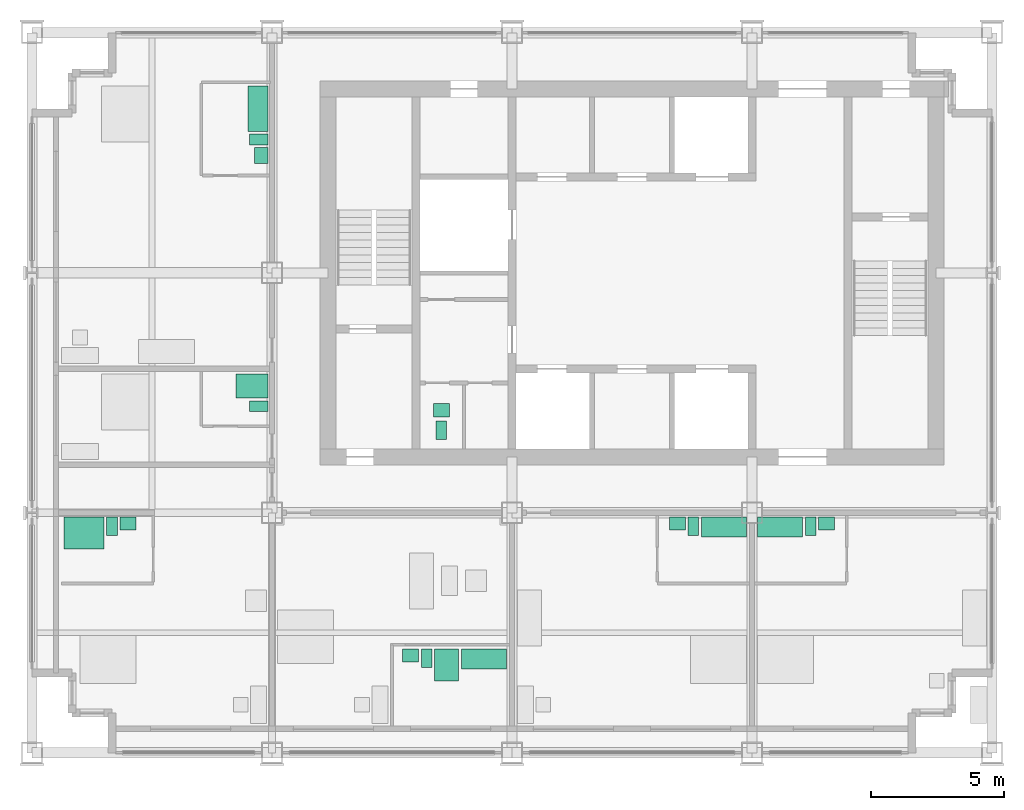
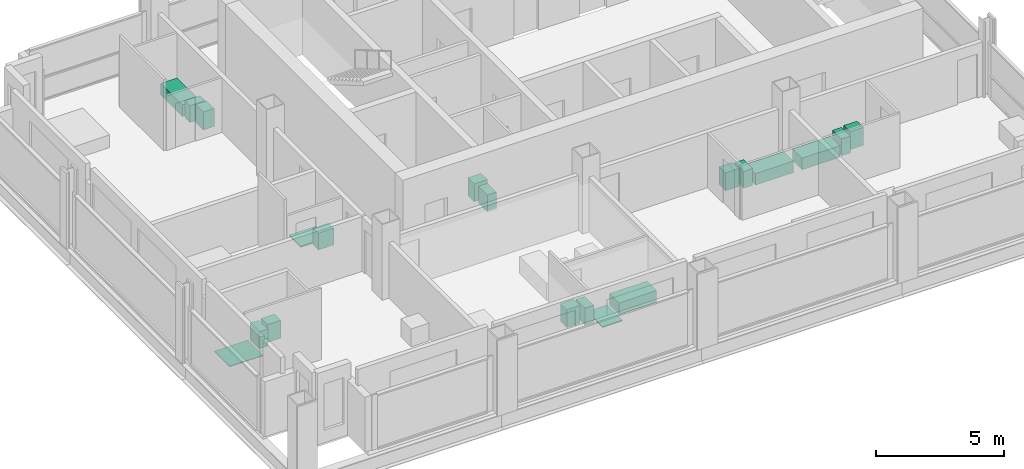
# One storey, part 10 of 11: 20 sanitary terminals.
"""IFC4 building model written with IfcOpenShell, lengths in metres."""

from ifc_helpers import new_model, si_unit, direction, frame, origin, origin_2d, place, context, subcontext, project, spatial, rectangle, extrude, element, save


model = new_model("IFC4")

# Units and contexts
model_context = context("Model", 3, precision=1e-05, world=origin(), true_north=direction((0.0, 1.0)))
body_context = subcontext(model_context, "Body", "Model", "MODEL_VIEW")
ifc_project = project(units=[si_unit("LENGTHUNIT", "METRE"), si_unit("AREAUNIT", "SQUARE_METRE"), si_unit("VOLUMEUNIT", "CUBIC_METRE"), si_unit("PLANEANGLEUNIT", "RADIAN"), si_unit("MASSUNIT", "GRAM", prefix="KILO")], contexts=[model_context])

# Site, building, storey
site_placement = place(None, origin())
site = spatial("IfcSite", under=ifc_project, at=site_placement, CompositionType="ELEMENT")
building_placement = place(site_placement, origin())
building = spatial("IfcBuilding", under=site, at=building_placement, Name="Loomwork Tower", CompositionType="ELEMENT")
storey_placement = place(building_placement, frame((0.0, 0.0, 244.60009765625)))
storey = spatial("IfcBuildingStorey", under=building, at=storey_placement, Name="L67", CompositionType="ELEMENT", Elevation=244.60009765625)

# Sanitary terminals
sanitary_terminal_1_placement = place(storey_placement, frame((1.949951171875, 8.25, 0.0), z_axis=(0.0, 0.0, 1.0), x_axis=(1.0, 0.0, 0.0)))
element("IfcSanitaryTerminal", 1, at=sanitary_terminal_1_placement, inside=storey, Name="Roll-in shower floor L67", PredefinedType="SHOWER", context=body_context, shape_type="SweptSolid", body=[
    extrude(rectangle(XDim=1.5, YDim=1.199951171875, at=origin_2d()), origin(), (0.0, 0.0, 1.0), 0.030029296875),
])
sanitary_terminal_2_placement = place(storey_placement, frame((3.0, 8.5, 0.0), z_axis=(0.0, 0.0, 1.0), x_axis=(1.0, 0.0, 0.0)))
element("IfcSanitaryTerminal", 2, at=sanitary_terminal_2_placement, inside=storey, Name="WC L67", PredefinedType="TOILETPAN", context=body_context, shape_type="SweptSolid", body=[
    extrude(rectangle(XDim=0.39990234375, YDim=0.699951171875, at=origin_2d()), origin(), (0.0, 0.0, 1.0), 0.800048828125),
])
sanitary_terminal_3_placement = place(storey_placement, frame((3.60009765625, 8.60009765625, -0.000244140625), z_axis=(0.0, 0.0, 1.0), x_axis=(1.0, 0.0, 0.0)))
element("IfcSanitaryTerminal", 3, at=sanitary_terminal_3_placement, inside=storey, Name="Basin vanity L67", PredefinedType="WASHHANDBASIN", context=body_context, shape_type="SweptSolid", body=[
    extrude(rectangle(XDim=0.60009765625, YDim=0.5, at=origin_2d()), origin(), (0.0, 0.0, 1.0), 0.85009765625),
])
sanitary_terminal_4_placement = place(storey_placement, frame((16.949951171875, 3.52490234375, 0.0), z_axis=(0.0, 0.0, 1.0), x_axis=(1.0, 0.0, 0.0)))
element("IfcSanitaryTerminal", 4, at=sanitary_terminal_4_placement, inside=storey, Name="Bath L67", PredefinedType="BATH", context=body_context, shape_type="SweptSolid", body=[
    extrude(rectangle(XDim=1.699951171875, YDim=0.75, at=origin_2d()), origin(), (0.0, 0.0, 1.0), 0.550048828125),
])
sanitary_terminal_5_placement = place(storey_placement, frame((15.550048828125, 3.300048828125, 0.0), z_axis=(0.0, 0.0, 1.0), x_axis=(1.0, 0.0, 0.0)))
element("IfcSanitaryTerminal", 5, at=sanitary_terminal_5_placement, inside=storey, Name="Shower tray L67", PredefinedType="SHOWER", context=body_context, shape_type="SweptSolid", body=[
    extrude(rectangle(XDim=0.89990234375, YDim=1.199951171875, at=origin_2d()), origin(), (0.0, 0.0, 1.0), 0.050048828125),
])
sanitary_terminal_6_placement = place(storey_placement, frame((14.800048828125, 3.550048828125, 0.0), z_axis=(0.0, 0.0, 1.0), x_axis=(1.0, 0.0, 0.0)))
element("IfcSanitaryTerminal", 6, at=sanitary_terminal_6_placement, inside=storey, Name="WC L67", PredefinedType="TOILETPAN", context=body_context, shape_type="SweptSolid", body=[
    extrude(rectangle(XDim=0.39990234375, YDim=0.699951171875, at=origin_2d()), origin(), (0.0, 0.0, 1.0), 0.800048828125),
])
sanitary_terminal_7_placement = place(storey_placement, frame((14.199951171875, 3.64990234375, -0.000244140625), z_axis=(0.0, 0.0, 1.0), x_axis=(1.0, 0.0, 0.0)))
element("IfcSanitaryTerminal", 7, at=sanitary_terminal_7_placement, inside=storey, Name="Basin vanity L67", PredefinedType="WASHHANDBASIN", context=body_context, shape_type="SweptSolid", body=[
    extrude(rectangle(XDim=0.60009765625, YDim=0.5, at=origin_2d()), origin(), (0.0, 0.0, 1.0), 0.85009765625),
])
sanitary_terminal_8_placement = place(storey_placement, frame((25.949951171875, 8.47509765625, 0.0), z_axis=(0.0, 0.0, 1.0), x_axis=(1.0, 0.0, 0.0)))
element("IfcSanitaryTerminal", 8, at=sanitary_terminal_8_placement, inside=storey, Name="Bath L67", PredefinedType="BATH", context=body_context, shape_type="SweptSolid", body=[
    extrude(rectangle(XDim=1.699951171875, YDim=0.75, at=origin_2d()), origin(), (0.0, 0.0, 1.0), 0.550048828125),
])
sanitary_terminal_9_placement = place(storey_placement, frame((24.800048828125, 8.5, 0.0), z_axis=(0.0, 0.0, 1.0), x_axis=(1.0, 0.0, 0.0)))
element("IfcSanitaryTerminal", 9, at=sanitary_terminal_9_placement, inside=storey, Name="WC L67", PredefinedType="TOILETPAN", context=body_context, shape_type="SweptSolid", body=[
    extrude(rectangle(XDim=0.39990234375, YDim=0.699951171875, at=origin_2d()), origin(), (0.0, 0.0, 1.0), 0.800048828125),
])
sanitary_terminal_10_placement = place(storey_placement, frame((24.199951171875, 8.60009765625, -0.000244140625), z_axis=(0.0, 0.0, 1.0), x_axis=(1.0, 0.0, 0.0)))
element("IfcSanitaryTerminal", 10, at=sanitary_terminal_10_placement, inside=storey, Name="Basin vanity L67", PredefinedType="WASHHANDBASIN", context=body_context, shape_type="SweptSolid", body=[
    extrude(rectangle(XDim=0.60009765625, YDim=0.5, at=origin_2d()), origin(), (0.0, 0.0, 1.0), 0.85009765625),
])
sanitary_terminal_11_placement = place(storey_placement, frame((28.050048828125, 8.47509765625, 0.0), z_axis=(0.0, 0.0, 1.0), x_axis=(1.0, 0.0, 0.0)))
element("IfcSanitaryTerminal", 11, at=sanitary_terminal_11_placement, inside=storey, Name="Bath L67", PredefinedType="BATH", context=body_context, shape_type="SweptSolid", body=[
    extrude(rectangle(XDim=1.699951171875, YDim=0.75, at=origin_2d()), origin(), (0.0, 0.0, 1.0), 0.550048828125),
])
sanitary_terminal_12_placement = place(storey_placement, frame((29.199951171875, 8.5, 0.0), z_axis=(0.0, 0.0, 1.0), x_axis=(1.0, 0.0, 0.0)))
element("IfcSanitaryTerminal", 12, at=sanitary_terminal_12_placement, inside=storey, Name="WC L67", PredefinedType="TOILETPAN", context=body_context, shape_type="SweptSolid", body=[
    extrude(rectangle(XDim=0.39990234375, YDim=0.699951171875, at=origin_2d()), origin(), (0.0, 0.0, 1.0), 0.800048828125),
])
sanitary_terminal_13_placement = place(storey_placement, frame((29.800048828125, 8.60009765625, -0.000244140625), z_axis=(0.0, 0.0, 1.0), x_axis=(1.0, 0.0, 0.0)))
element("IfcSanitaryTerminal", 13, at=sanitary_terminal_13_placement, inside=storey, Name="Basin vanity L67", PredefinedType="WASHHANDBASIN", context=body_context, shape_type="SweptSolid", body=[
    extrude(rectangle(XDim=0.60009765625, YDim=0.5, at=origin_2d()), origin(), (0.0, 0.0, 1.0), 0.85009765625),
])
sanitary_terminal_14_placement = place(storey_placement, frame((8.25, 13.75, 0.0), z_axis=(0.0, 0.0, 1.0), x_axis=(1.0, 0.0, 0.0)))
element("IfcSanitaryTerminal", 14, at=sanitary_terminal_14_placement, inside=storey, Name="Shower tray L67", PredefinedType="SHOWER", context=body_context, shape_type="SweptSolid", body=[
    extrude(rectangle(XDim=1.199951171875, YDim=0.89990234375, at=origin_2d()), origin(), (0.0, 0.0, 1.0), 0.050048828125),
])
sanitary_terminal_15_placement = place(storey_placement, frame((8.5, 13.0, 0.0), z_axis=(0.0, 0.0, 1.0), x_axis=(1.0, 0.0, 0.0)))
element("IfcSanitaryTerminal", 15, at=sanitary_terminal_15_placement, inside=storey, Name="WC L67", PredefinedType="TOILETPAN", context=body_context, shape_type="SweptSolid", body=[
    extrude(rectangle(XDim=0.699951171875, YDim=0.39990234375, at=origin_2d()), origin(), (0.0, 0.0, 1.0), 0.800048828125),
])
sanitary_terminal_16_placement = place(storey_placement, frame((8.47509765625, 24.14990234375, 0.0), z_axis=(0.0, 0.0, 1.0), x_axis=(1.0, 0.0, 0.0)))
element("IfcSanitaryTerminal", 16, at=sanitary_terminal_16_placement, inside=storey, Name="Bath L67", PredefinedType="BATH", context=body_context, shape_type="SweptSolid", body=[
    extrude(rectangle(XDim=0.75, YDim=1.699951171875, at=origin_2d()), origin(), (0.0, 0.0, 1.0), 0.550048828125),
])
sanitary_terminal_17_placement = place(storey_placement, frame((8.5, 23.0, 0.0), z_axis=(0.0, 0.0, 1.0), x_axis=(1.0, 0.0, 0.0)))
element("IfcSanitaryTerminal", 17, at=sanitary_terminal_17_placement, inside=storey, Name="WC L67", PredefinedType="TOILETPAN", context=body_context, shape_type="SweptSolid", body=[
    extrude(rectangle(XDim=0.699951171875, YDim=0.39990234375, at=origin_2d()), origin(), (0.0, 0.0, 1.0), 0.800048828125),
])
sanitary_terminal_18_placement = place(storey_placement, frame((8.60009765625, 22.39990234375, -0.000244140625), z_axis=(0.0, 0.0, 1.0), x_axis=(1.0, 0.0, 0.0)))
element("IfcSanitaryTerminal", 18, at=sanitary_terminal_18_placement, inside=storey, Name="Basin vanity L67", PredefinedType="WASHHANDBASIN", context=body_context, shape_type="SweptSolid", body=[
    extrude(rectangle(XDim=0.5, YDim=0.60009765625, at=origin_2d()), origin(), (0.0, 0.0, 1.0), 0.85009765625),
])
sanitary_terminal_19_placement = place(storey_placement, frame((15.35009765625, 12.10009765625, 0.0), z_axis=(0.0, 0.0, 1.0), x_axis=(1.0, 0.0, 0.0)))
element("IfcSanitaryTerminal", 19, at=sanitary_terminal_19_placement, inside=storey, Name="WC L67", PredefinedType="TOILETPAN", context=body_context, shape_type="SweptSolid", body=[
    extrude(rectangle(XDim=0.39990234375, YDim=0.699951171875, at=origin_2d()), origin(), (0.0, 0.0, 1.0), 0.800048828125),
])
sanitary_terminal_20_placement = place(storey_placement, frame((15.35009765625, 12.85009765625, -0.000244140625), z_axis=(0.0, 0.0, 1.0), x_axis=(1.0, 0.0, 0.0)))
element("IfcSanitaryTerminal", 20, at=sanitary_terminal_20_placement, inside=storey, Name="Basin L67", PredefinedType="WASHHANDBASIN", context=body_context, shape_type="SweptSolid", body=[
    extrude(rectangle(XDim=0.60009765625, YDim=0.5, at=origin_2d()), origin(), (0.0, 0.0, 1.0), 0.85009765625),
])

save(model, "model.ifc")
